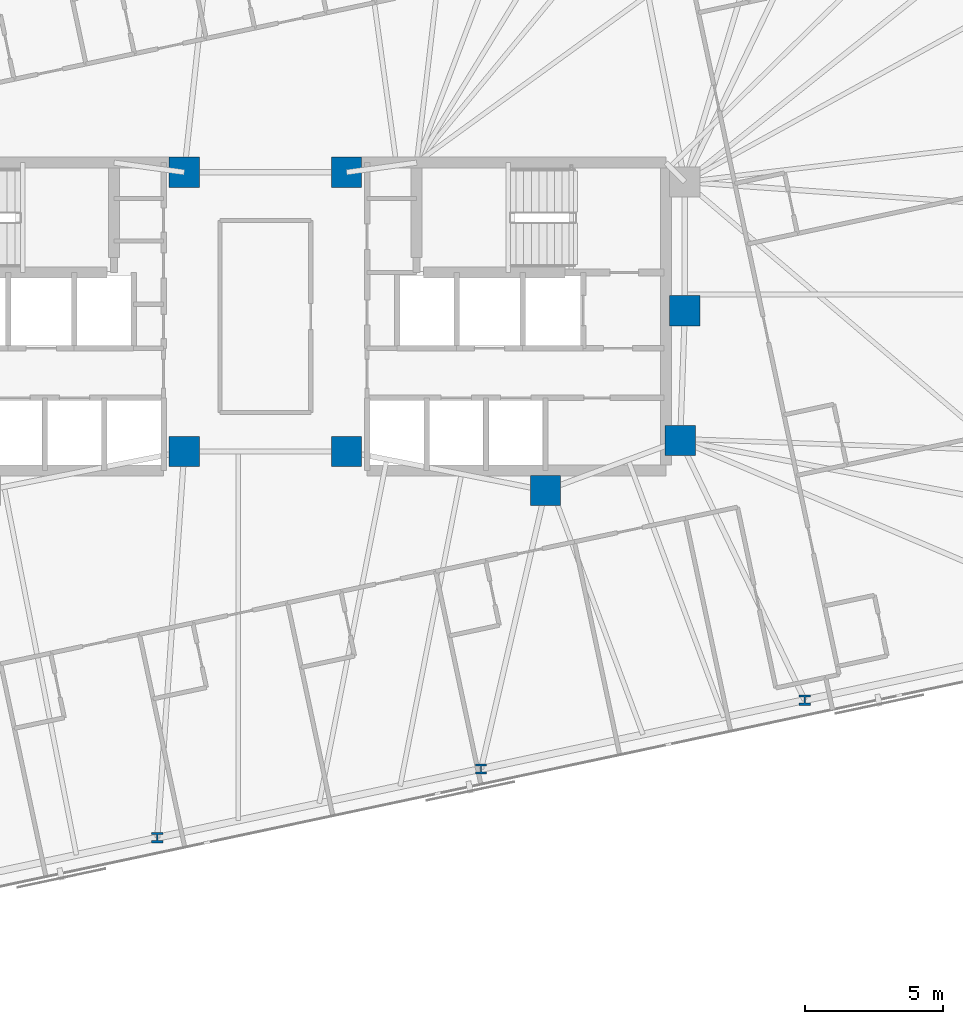
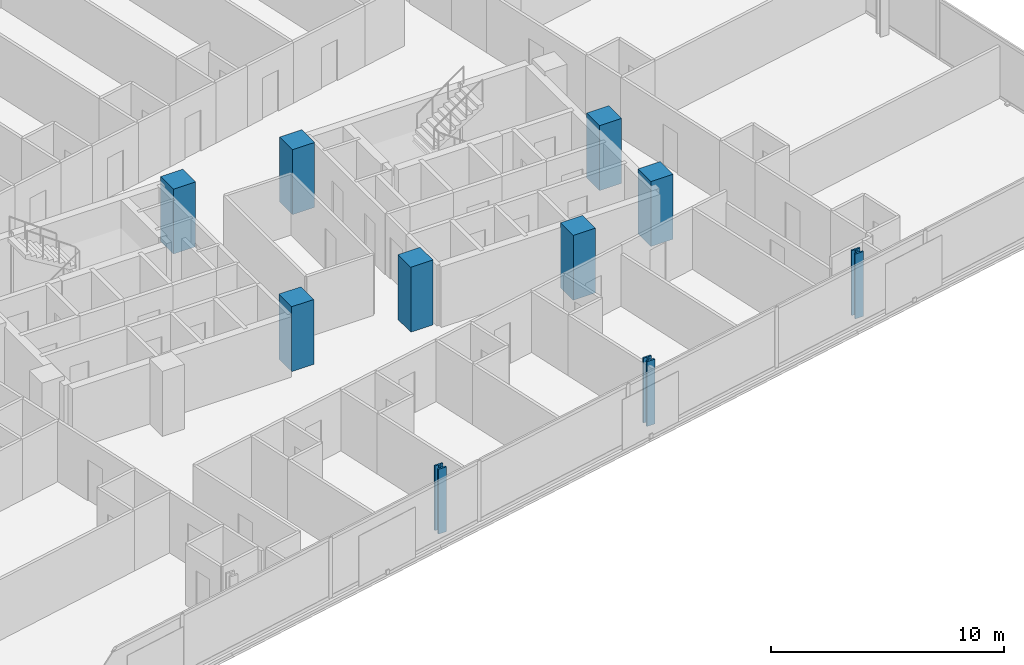
# One storey, part 3 of 21: 10 columns.
"""IFC4 building model written with IfcOpenShell, lengths in metres."""

import ifcopenshell
import ifcopenshell.guid

model = None  # the IFC model being written
_history = None  # IfcOwnerHistory: only IFC2X3 demands one
_inside = {}  # id of a spatial element -> (the spatial element, [elements in it])
_under = {}  # id of a project, library or spatial element -> (it, [spatial elements below it])
_declared = {}  # id of a project -> (the project, [libraries it declares])
_typed = {}  # id of a type object -> (the type object, [elements of that type])
_made_of = {}  # id of a material, layer set ... -> (it, [elements and type objects made of it])


def new_model(schema):
    """Start an empty IFC model of exactly this schema.

    Asked for "IFC4X3", IfcOpenShell would pick the latest addendum, in which some entities
    have other attributes; the version numbers below select the first issue.
    IFC2X3 requires an IfcOwnerHistory on every rooted entity: one is made here for all.
    """
    global model, _history
    if schema == "IFC4X3":
        model = ifcopenshell.file(schema_version=(4, 3, 0, 0))
    else:
        model = ifcopenshell.file(schema=schema)
    _inside.clear()
    _under.clear()
    _declared.clear()
    _typed.clear()
    _made_of.clear()
    _history = None
    if model.schema == "IFC2X3":
        org = make("IfcOrganization", Name="unknown")
        user = make(
            "IfcPersonAndOrganization",
            ThePerson=make("IfcPerson", FamilyName="unknown"),
            TheOrganization=org,
        )
        app = make(
            "IfcApplication",
            ApplicationDeveloper=org,
            Version="unknown",
            ApplicationFullName="unknown",
            ApplicationIdentifier="unknown",
        )
        _history = make(
            "IfcOwnerHistory",
            OwningUser=user,
            OwningApplication=app,
            ChangeAction="ADDED",
            CreationDate=0,
        )
    return model


def make(cls, **values):
    """One entity of the class cls with the attributes given. An attribute that is None is left unset."""
    return model.create_entity(
        cls, **{name: value for name, value in values.items() if value is not None}
    )


def rooted(cls, **values):
    """An entity with a GlobalId (a new one), such as an element, a storey or a relation."""
    return make(cls, GlobalId=ifcopenshell.guid.new(), OwnerHistory=_history, **values)


def si_unit(unit_type, name, prefix=None):
    """IfcSIUnit, for example si_unit("LENGTHUNIT", "METRE", prefix="MILLI")."""
    return make("IfcSIUnit", UnitType=unit_type, Prefix=prefix, Name=name)


def assignment(units):
    """IfcUnitAssignment: the units of a project."""
    return None if units is None else make("IfcUnitAssignment", Units=units)


def point(xyz):
    """IfcCartesianPoint."""
    return None if xyz is None else make("IfcCartesianPoint", Coordinates=xyz)


def direction(xyz):
    """IfcDirection."""
    return None if xyz is None else make("IfcDirection", DirectionRatios=xyz)


def frame(location, z_axis=None, x_axis=None):
    """IfcAxis2Placement3D, a coordinate frame: its origin and axes. An axis left out is left unset."""
    return make(
        "IfcAxis2Placement3D",
        Location=point(location),
        Axis=direction(z_axis),
        RefDirection=direction(x_axis),
    )


def frame_2d(location, x_axis=None):
    """IfcAxis2Placement2D, a coordinate frame in the plane: its origin and x axis."""
    return make(
        "IfcAxis2Placement2D", Location=point(location), RefDirection=direction(x_axis)
    )


def origin():
    """The frame at (0, 0, 0) with its axes left unset."""
    return frame((0.0, 0.0, 0.0))


def origin_2d():
    """The frame at (0, 0) in the plane with its x axis left unset."""
    return frame_2d((0.0, 0.0))


def place(relative_to, where):
    """IfcLocalPlacement: puts the frame where relative to a parent placement (None: the world)."""
    return make(
        "IfcLocalPlacement", PlacementRelTo=relative_to, RelativePlacement=where
    )


def context(
    kind, dimensions, precision=None, world=None, true_north=None, identifier=None
):
    """IfcGeometricRepresentationContext, for example the 3D "Model" context."""
    return make(
        "IfcGeometricRepresentationContext",
        ContextIdentifier=identifier,
        ContextType=kind,
        CoordinateSpaceDimension=dimensions,
        Precision=precision,
        WorldCoordinateSystem=world,
        TrueNorth=true_north,
    )


def subcontext(parent, identifier, kind, view, scale=None):
    """IfcGeometricRepresentationSubContext, for example "Body" below "Model"."""
    return make(
        "IfcGeometricRepresentationSubContext",
        ContextIdentifier=identifier,
        ContextType=kind,
        ParentContext=parent,
        TargetScale=scale,
        TargetView=view,
    )


def project(units=None, contexts=None):
    """IfcProject with its units and contexts."""
    return rooted(
        "IfcProject",
        Name="project",
        RepresentationContexts=contexts,
        UnitsInContext=assignment(units),
    )


def spatial(cls, under=None, at=None, **own):
    """A site, building, storey or space (cls), placed at a placement, below another one or the project."""
    s = rooted(cls, ObjectPlacement=at, **own)
    if under is not None:
        _under.setdefault(under.id(), (under, []))[1].append(s)
    return s


def profile(cls, at=None, kind="AREA", **sizes):
    """A parametric profile (cls). Its sizes go by their IFC names, for example OverallWidth=200.0."""
    return make(cls, ProfileType=kind, Position=at, **sizes)


def rectangle(**sizes):
    """IfcRectangleProfileDef."""
    return profile("IfcRectangleProfileDef", **sizes)


def i_section(**sizes):
    """IfcIShapeProfileDef."""
    return profile("IfcIShapeProfileDef", **sizes)


def extrude(swept, where, along, depth):
    """IfcExtrudedAreaSolid: the profile swept, set in the frame where, extruded along a direction by depth."""
    return make(
        "IfcExtrudedAreaSolid",
        SweptArea=swept,
        Position=where,
        ExtrudedDirection=direction(along),
        Depth=depth,
    )


def shape(context_of_items, identifier, shape_type, items):
    """IfcShapeRepresentation: the items that make up one representation, for example the "Body"."""
    return make(
        "IfcShapeRepresentation",
        ContextOfItems=context_of_items,
        RepresentationIdentifier=identifier,
        RepresentationType=shape_type,
        Items=items,
    )


def material(Name=None, Category=None):
    """IfcMaterial."""
    return make("IfcMaterial", Name=Name, Category=Category)


def material_profile(
    of_material, cross_section, Name=None, Category=None, Priority=None
):
    """IfcMaterialProfile: a cross section and its material."""
    return make(
        "IfcMaterialProfile",
        Name=Name,
        Material=of_material,
        Profile=cross_section,
        Priority=Priority,
        Category=Category,
    )


def profile_set(profiles, Name=None, composite=None):
    """IfcMaterialProfileSet."""
    return make(
        "IfcMaterialProfileSet",
        Name=Name,
        MaterialProfiles=profiles,
        CompositeProfile=composite,
    )


def made_of(thing, what):
    """Note that an element or type object is made of a material, layer set ...; save() writes the relation."""
    if what is not None:
        _made_of.setdefault(what.id(), (what, []))[1].append(thing)
    return thing


def type_object(cls, material=None, **own):
    """A type object (cls), such as IfcWallType, which elements share."""
    return made_of(rooted(cls, **own), material)


def element(
    cls,
    number,
    at=None,
    inside=None,
    cuts=None,
    type_object=None,
    material=None,
    context=None,
    identifier="Body",
    shape_type=None,
    held_by="IfcProductDefinitionShape",
    body=None,
    shapes=None,
    **own,
):
    """One element of the class cls, such as IfcWall. Its Tag is "e" and its number.

    at: its placement. inside: the storey or other place that contains it. cuts: it is an
    opening in that element (IfcRelVoidsElement). A single representation is given by context,
    identifier, shape_type and body (its items); several are given by shapes. held_by: the class
    of the entity that holds the representations. save() writes the other relations.
    """
    e = rooted(cls, Tag="e%d" % number, ObjectPlacement=at, **own)
    if body is not None:
        shapes = [shape(context, identifier, shape_type, body)]
    if shapes is not None:
        e.Representation = make(held_by, Representations=shapes)
    if inside is not None:
        _inside.setdefault(inside.id(), (inside, []))[1].append(e)
    if cuts is not None:
        rooted(
            "IfcRelVoidsElement", RelatingBuildingElement=cuts, RelatedOpeningElement=e
        )
    if type_object is not None:
        _typed.setdefault(type_object.id(), (type_object, []))[1].append(e)
    return made_of(e, material)


def aggregate(whole, parts):
    """IfcRelAggregates: a whole, such as a stair, and the parts it consists of."""
    return rooted("IfcRelAggregates", RelatingObject=whole, RelatedObjects=parts)


def save(model, path):
    """Write the relations noted so far, then the file.

    IfcRelAggregates (storeys below a building ...), IfcRelContainedInSpatialStructure (elements
    in a storey), IfcRelDefinesByType, IfcRelAssociatesMaterial and IfcRelDeclares: one each for
    every whole, place, type object, material and project.
    """
    for whole, parts in _under.values():
        aggregate(whole, parts)
    for where, things in _inside.values():
        rooted(
            "IfcRelContainedInSpatialStructure",
            RelatedElements=things,
            RelatingStructure=where,
        )
    for kind, things in _typed.values():
        rooted("IfcRelDefinesByType", RelatedObjects=things, RelatingType=kind)
    for what, things in _made_of.values():
        rooted("IfcRelAssociatesMaterial", RelatedObjects=things, RelatingMaterial=what)
    for by, libraries in _declared.values():
        rooted("IfcRelDeclares", RelatingContext=by, RelatedDefinitions=libraries)
    model.write(path)


model = new_model("IFC4")

# Units and contexts
model_context = context("Model", 3, precision=1e-05, world=origin(), true_north=direction((0.0, 1.0)))
body_context = subcontext(model_context, "Body", "Model", "MODEL_VIEW")
ifc_project = project(units=[si_unit("LENGTHUNIT", "METRE"), si_unit("AREAUNIT", "SQUARE_METRE"), si_unit("VOLUMEUNIT", "CUBIC_METRE"), si_unit("PLANEANGLEUNIT", "RADIAN"), si_unit("MASSUNIT", "GRAM", prefix="KILO")], contexts=[model_context])

# Site, building, storey
site_placement = place(None, origin())
site = spatial("IfcSite", under=ifc_project, at=site_placement, CompositionType="ELEMENT")
building_placement = place(site_placement, origin())
building = spatial("IfcBuilding", under=site, at=building_placement, Name="Menara Jurai Vektor", CompositionType="ELEMENT")
storey_placement = place(building_placement, frame((0.0, 0.0, 165.0)))
storey = spatial("IfcBuildingStorey", under=building, at=storey_placement, Name="L42", CompositionType="ELEMENT", Elevation=165.0)

# Columns
ifc_material_1 = material(Name="Concrete C50/60", Category="concrete")
ifc_material_profile_1 = material_profile(ifc_material_1, rectangle(XDim=1.10009765625, YDim=1.10009765625, at=origin_2d()), Name="RC 1100x1100")
ifc_profile_set_1 = profile_set([ifc_material_profile_1], Name="Concrete C50/60")
column_type_1 = type_object("IfcColumnType", Name="STR-COL-RC1100", PredefinedType="COLUMN", material=ifc_profile_set_1)
for number, where, z_axis, x_axis, name in (
    (1, (-2.949951171875, -4.89990234375, 0.0), (0.0, 0.0, 1.0), (1.0, 0.0, 0.0), "Core Spine Column CW-SE L42"),
    (2, (-2.949951171875, 5.25, 0.0), (0.0, 0.0, 1.0), (1.0, 0.0, 0.0), "Core Spine Column CW-NE L42"),
    (3, (15.25, 0.219970703125, 0.0), (0.0, 0.0, 1.0), (1.0, 0.0, 0.0), "Core Spine Column CE-EM L42"),
    (4, (15.080078125, -4.5, 0.0), (0.0, 0.0, 1.0), (1.0, 0.0, 0.0), "Core Spine Column CE-SE L42"),
    (5, (10.179931640625, -6.320068359375, 0.0), (0.0, 0.0, 1.0), (1.0, 0.0, 0.0), "Core Spine Column CE-SM L42"),
    (6, (2.949951171875, -4.89990234375, 0.0), (0.0, 0.0, 1.0), (1.0, 0.0, 0.0), "Core Spine Column CE-SW L42"),
    (7, (2.949951171875, 5.25, 0.0), (0.0, 0.0, 1.0), (1.0, 0.0, 0.0), "Core Spine Column CE-NW L42"),
):
    element("IfcColumn", number, at=place(storey_placement, frame(where, z_axis=z_axis, x_axis=x_axis)), inside=storey, type_object=column_type_1, Name=name, PredefinedType="COLUMN", context=body_context, shape_type="SweptSolid", body=[
        extrude(rectangle(XDim=1.10009765625, YDim=1.10009765625, at=origin_2d()), origin(), (0.0, 0.0, 1.0), 3.39990234375),
    ])
ifc_material_2 = material(Name="Steel S460", Category="steel")
ifc_material_profile_2 = material_profile(ifc_material_2, i_section(OverallWidth=0.408935546875, OverallDepth=0.3740234375, WebThickness=0.048095703125, FlangeThickness=0.076904296875, FilletRadius=0.014892578125, at=origin_2d()), Name="HD 400x634")
ifc_profile_set_2 = profile_set([ifc_material_profile_2], Name="Steel S460")
column_type_2 = type_object("IfcColumnType", Name="STR-EXO-BLK3", PredefinedType="COLUMN", material=ifc_profile_set_2)
for number, where, z_axis, x_axis, name in (
    (8, (-3.928466796875, -18.94287109375, 0.0), (0.0, 0.0, 1.0), (1.0, 0.0, 0.0), "Exoskeleton Column BLK3-S3 L42"),
    (9, (7.83984375, -16.44140625, 0.0), (0.0, 0.0, 1.0), (1.0, 0.0, 0.0), "Exoskeleton Column BLK3-S4 L42"),
    (10, (19.608154296875, -13.940185546875, 0.0), (0.0, 0.0, 1.0), (1.0, 0.0, 0.0), "Exoskeleton Column BLK3-S5 L42"),
):
    element("IfcColumn", number, at=place(storey_placement, frame(where, z_axis=z_axis, x_axis=x_axis)), inside=storey, type_object=column_type_2, Name=name, PredefinedType="COLUMN", context=body_context, shape_type="SweptSolid", body=[
        extrude(i_section(OverallWidth=0.408935546875, OverallDepth=0.3740234375, WebThickness=0.048095703125, FlangeThickness=0.076904296875, FilletRadius=0.014892578125, at=origin_2d()), origin(), (0.0, 0.0, 1.0), 3.39990234375),
    ])

save(model, "model.ifc")
